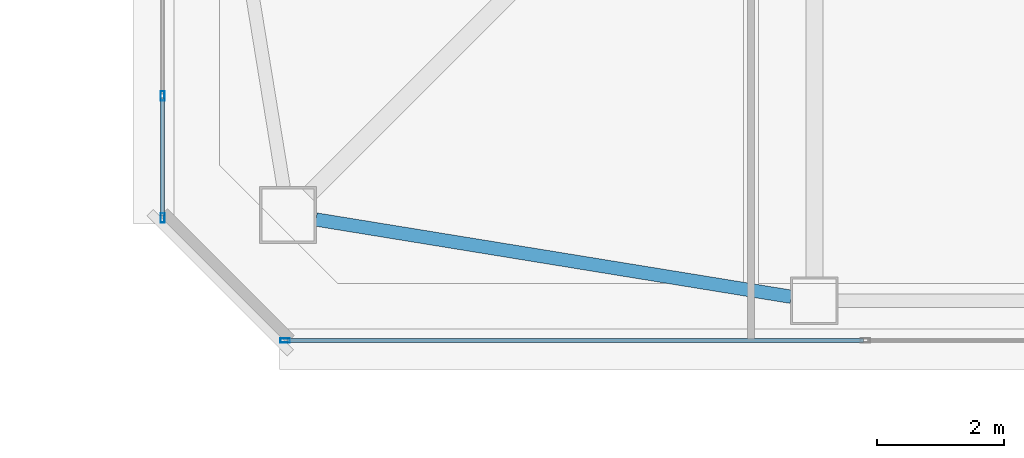
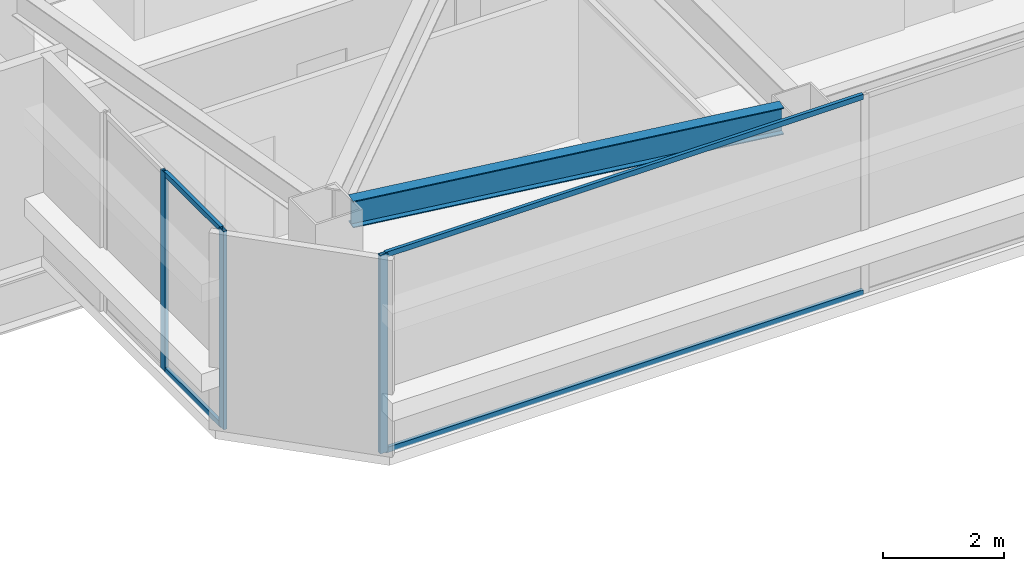
# One storey, part 4 of 51: 7 members, 1 beam, 2 elements without a shape of their own.
"""IFC4 building model written with IfcOpenShell, lengths in metres."""

from ifc_helpers import new_model, si_unit, direction, frame, origin, origin_2d, place, context, subcontext, project, spatial, hollow_rectangle, i_section, extrude, material, material_profile, profile_set, type_object, element, aggregate, save


model = new_model("IFC4")

# Units and contexts
model_context = context("Model", 3, precision=1e-05, world=origin(), true_north=direction((0.0, 1.0)))
body_context = subcontext(model_context, "Body", "Model", "MODEL_VIEW")
ifc_project = project(units=[si_unit("LENGTHUNIT", "METRE"), si_unit("AREAUNIT", "SQUARE_METRE"), si_unit("VOLUMEUNIT", "CUBIC_METRE"), si_unit("PLANEANGLEUNIT", "RADIAN"), si_unit("MASSUNIT", "GRAM", prefix="KILO")], contexts=[model_context])

# Site, building, storey
site_placement = place(None, origin())
site = spatial("IfcSite", under=ifc_project, at=site_placement, CompositionType="ELEMENT")
building_placement = place(site_placement, origin())
building = spatial("IfcBuilding", under=site, at=building_placement, Name="Tashvorn Skyway Center", CompositionType="ELEMENT")
storey_placement = place(building_placement, frame((0.0, 0.0, 251.39990234375)))
storey = spatial("IfcBuildingStorey", under=building, at=storey_placement, Name="L68", CompositionType="ELEMENT", Elevation=251.39990234375)

# Beam
ifc_material_1 = material(Name="Steel ASTM A992 Grade 50", Category="steel")
ifc_material_profile_1 = material_profile(ifc_material_1, i_section(OverallWidth=0.2109375, OverallDepth=0.5390625, WebThickness=0.01171875, FlangeThickness=0.018798828125, at=origin_2d()), Name="W21X73")
ifc_profile_set_1 = profile_set([ifc_material_profile_1], Name="Steel ASTM A992 Grade 50")
beam_type = type_object("IfcBeamType", Name="BM-SPANDREL-W21X73", PredefinedType="SPANDREL", material=ifc_profile_set_1)
beam_placement = place(storey_placement, frame((28.7392578125, 18.228515625, 3.510498046875), z_axis=(0.987032749583, -0.160519005885, 0.0), x_axis=(0.160519005885, 0.987032749583, 0.0)))
element("IfcBeam", 1, at=beam_placement, inside=storey, type_object=beam_type, Name="Tower 1 L68 Spandrel Beam 01", PredefinedType="SPANDREL", context=body_context, shape_type="SweptSolid", body=[
    extrude(i_section(OverallWidth=0.2109375, OverallDepth=0.5390625, WebThickness=0.01171875, FlangeThickness=0.018798828125, at=origin_2d()), origin(), (0.0, 0.0, 1.0), 7.593994140625),
])

# Curtain wall, member
ifc_material_2 = material(Name="Thermally broken bronze-anodized aluminium 6063-T6", Category="aluminium")
curtain_wall_type = type_object("IfcCurtainWallType", Name="CW-CW-SKY", PredefinedType="NOTDEFINED", material=ifc_material_2)
curtain_wall_1_placement = place(storey_placement, origin())
curtain_wall_1 = element("IfcCurtainWall", 2, at=curtain_wall_1_placement, inside=storey, type_object=curtain_wall_type, Name="Tower 1 L68 South Unitised Curtain Wall", PredefinedType="NOTDEFINED")
ifc_material_profile_2 = material_profile(ifc_material_2, hollow_rectangle(XDim=0.06494140625, YDim=0.14990234375, WallThickness=0.00390625, at=origin_2d()), Name="ALU-MULL-65x150")
ifc_profile_set_2 = profile_set([ifc_material_profile_2], Name="Thermally broken bronze-anodized aluminium 6063-T6")
member_type_1 = type_object("IfcMemberType", Name="CWM-CW-SKY", PredefinedType="MULLION", material=ifc_profile_set_2)
member_1_placement = place(storey_placement, frame((28.25244140625, 16.320068359375, 0.0), z_axis=(0.0, 0.0, 1.0), x_axis=(0.0, -1.0, 0.0)))
member_1 = element("IfcMember", 3, at=member_1_placement, type_object=member_type_1, Name="CW-SKY mullion 4", PredefinedType="MULLION", context=body_context, shape_type="SweptSolid", body=[
    extrude(hollow_rectangle(XDim=0.06494140625, YDim=0.14990234375, WallThickness=0.00390625, at=origin_2d()), origin(), (0.0, 0.0, 1.0), 4.0),
])

# Curtain wall, members
curtain_wall_2_placement = place(storey_placement, origin())
curtain_wall_2 = element("IfcCurtainWall", 4, at=curtain_wall_2_placement, inside=storey, type_object=curtain_wall_type, Name="Tower 1 L68 West Curtain Wall A Glazing Group 1", PredefinedType="NOTDEFINED")
member_2_placement = place(storey_placement, frame((26.320068359375, 18.25244140625, 0.0), z_axis=(0.0, 0.0, 1.0), x_axis=(-1.0, 0.0, 0.0)))
member_2 = element("IfcMember", 5, at=member_2_placement, type_object=member_type_1, Name="CW-SKY mullion 1", PredefinedType="MULLION", context=body_context, shape_type="SweptSolid", body=[
    extrude(hollow_rectangle(XDim=0.06494140625, YDim=0.14990234375, WallThickness=0.00390625, at=origin_2d()), origin(), (0.0, 0.0, 1.0), 4.0),
])
member_3_placement = place(storey_placement, frame((26.320068359375, 20.179931640625, 0.0), z_axis=(0.0, 0.0, 1.0), x_axis=(-1.0, 0.0, 0.0)))
member_3 = element("IfcMember", 6, at=member_3_placement, type_object=member_type_1, Name="CW-SKY mullion 2", PredefinedType="MULLION", context=body_context, shape_type="SweptSolid", body=[
    extrude(hollow_rectangle(XDim=0.06494140625, YDim=0.14990234375, WallThickness=0.00390625, at=origin_2d()), origin(), (0.0, 0.0, 1.0), 4.0),
])

# Member
ifc_material_profile_3 = material_profile(ifc_material_2, hollow_rectangle(XDim=0.06494140625, YDim=0.10498046875, WallThickness=0.00390625, at=origin_2d()), Name="ALU-TRAN-65x105")
ifc_profile_set_3 = profile_set([ifc_material_profile_3], Name="Thermally broken bronze-anodized aluminium 6063-T6")
member_type_2 = type_object("IfcMemberType", Name="CWT-CW-SKY", PredefinedType="USERDEFINED", material=ifc_profile_set_3)
member_4_placement = place(storey_placement, frame((37.374267578125, 16.320068359375, 0.03271484375), z_axis=(-1.0, 0.0, 0.0), x_axis=(0.0, -1.0, 0.0)))
member_4 = element("IfcMember", 7, at=member_4_placement, type_object=member_type_2, Name="CW-SKY transom 3.1", ObjectType="TRANSOM", PredefinedType="USERDEFINED", context=body_context, shape_type="SweptSolid", body=[
    extrude(hollow_rectangle(XDim=0.06494140625, YDim=0.10498046875, WallThickness=0.00390625, at=origin_2d()), origin(), (0.0, 0.0, 1.0), 9.08935546875),
])

member_5_placement = place(storey_placement, frame((37.374267578125, 16.320068359375, 3.967529296875), z_axis=(-1.0, 0.0, 0.0), x_axis=(0.0, -1.0, 0.0)))
member_5 = element("IfcMember", 8, at=member_5_placement, type_object=member_type_2, Name="CW-SKY transom 3.2", ObjectType="TRANSOM", PredefinedType="USERDEFINED", context=body_context, shape_type="SweptSolid", body=[
    extrude(hollow_rectangle(XDim=0.06494140625, YDim=0.10498046875, WallThickness=0.00390625, at=origin_2d()), origin(), (0.0, 0.0, 1.0), 9.08935546875),
])

aggregate(curtain_wall_1, [member_1, member_4, member_5])

member_6_placement = place(storey_placement, frame((26.320068359375, 18.284912109375, 0.03271484375), z_axis=(0.0, 1.0, 0.0), x_axis=(-1.0, 0.0, 0.0)))
member_6 = element("IfcMember", 9, at=member_6_placement, type_object=member_type_2, Name="CW-SKY transom 1.1", ObjectType="TRANSOM", PredefinedType="USERDEFINED", context=body_context, shape_type="SweptSolid", body=[
    extrude(hollow_rectangle(XDim=0.06494140625, YDim=0.10498046875, WallThickness=0.00390625, at=origin_2d()), origin(), (0.0, 0.0, 1.0), 1.862548828125),
])

member_7_placement = place(storey_placement, frame((26.320068359375, 18.284912109375, 3.967529296875), z_axis=(0.0, 1.0, 0.0), x_axis=(-1.0, 0.0, 0.0)))
member_7 = element("IfcMember", 10, at=member_7_placement, type_object=member_type_2, Name="CW-SKY transom 1.2", ObjectType="TRANSOM", PredefinedType="USERDEFINED", context=body_context, shape_type="SweptSolid", body=[
    extrude(hollow_rectangle(XDim=0.06494140625, YDim=0.10498046875, WallThickness=0.00390625, at=origin_2d()), origin(), (0.0, 0.0, 1.0), 1.862548828125),
])

aggregate(curtain_wall_2, [member_2, member_3, member_6, member_7])

save(model, "model.ifc")
